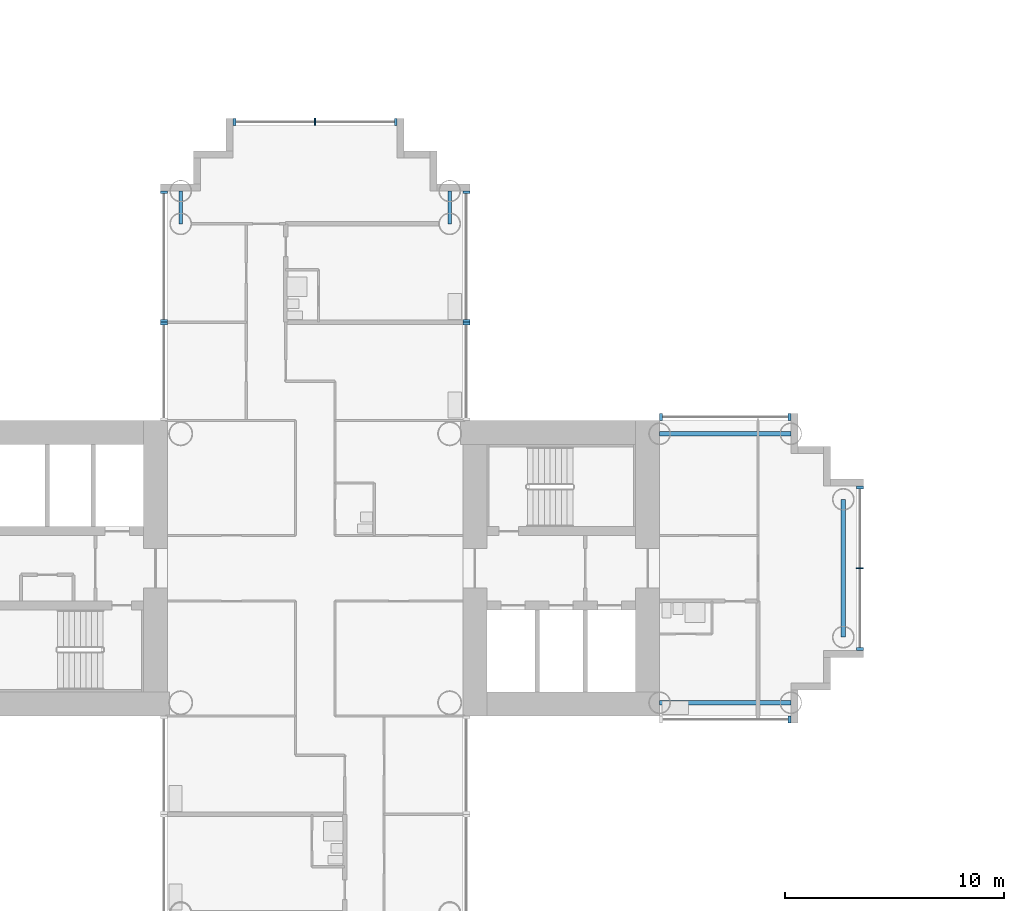
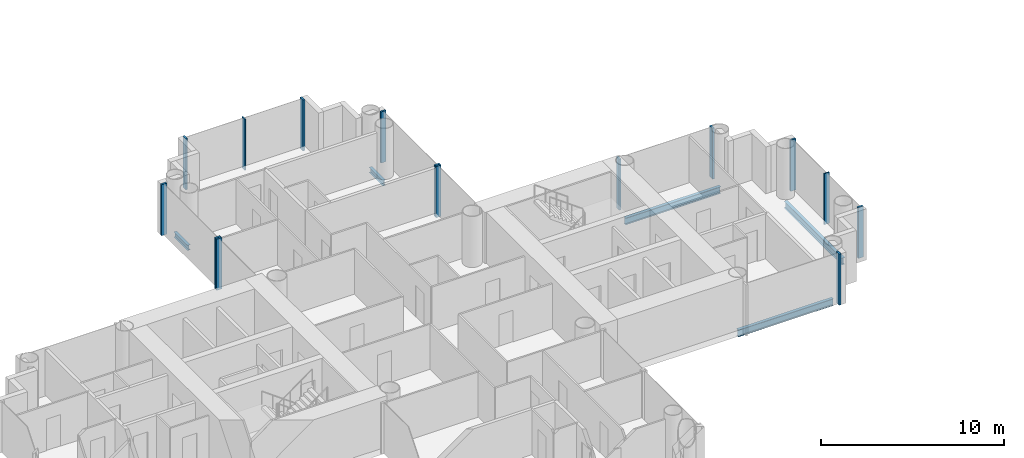
# One storey, part 4 of 21: 15 members, 5 beams, 8 elements without a shape of their own.
"""IFC4 building model written with IfcOpenShell, lengths in metres."""

from ifc_helpers import new_model, si_unit, direction, frame, origin, origin_2d, place, context, subcontext, project, spatial, rectangle, i_section, extrude, material, layer, layer_set, material_profile, profile_set, type_object, element, aggregate, save


model = new_model("IFC4")

# Units and contexts
model_context = context("Model", 3, precision=1e-05, world=origin(), true_north=direction((0.0, 1.0)))
body_context = subcontext(model_context, "Body", "Model", "MODEL_VIEW")
ifc_project = project(units=[si_unit("LENGTHUNIT", "METRE"), si_unit("AREAUNIT", "SQUARE_METRE"), si_unit("VOLUMEUNIT", "CUBIC_METRE"), si_unit("PLANEANGLEUNIT", "RADIAN"), si_unit("MASSUNIT", "GRAM", prefix="KILO")], contexts=[model_context])

# Site, building, storey
site_placement = place(None, origin())
site = spatial("IfcSite", under=ifc_project, at=site_placement, CompositionType="ELEMENT")
building_placement = place(site_placement, origin())
building = spatial("IfcBuilding", under=site, at=building_placement, Name="Ipe Terrace Towers", CompositionType="ELEMENT")
storey_placement = place(building_placement, frame((0.0, 0.0, 34.699951171875)))
storey = spatial("IfcBuildingStorey", under=building, at=storey_placement, Name="L08", CompositionType="ELEMENT", Elevation=34.699951171875)

# Beams
ifc_material_1 = material(Name="Steel S355", Category="steel")
ifc_material_profile_1 = material_profile(ifc_material_1, i_section(OverallWidth=0.175048828125, OverallDepth=0.35009765625, WebThickness=0.007080078125, FlangeThickness=0.010986328125, at=origin_2d()), Name="H-350x175x7x11")
ifc_profile_set_1 = profile_set([ifc_material_profile_1], Name="Steel S355")
beam_type_1 = type_object("IfcBeamType", Name="H04 EDGE BEAM H-350x175x7x11", PredefinedType="BEAM", material=ifc_profile_set_1)
for number, where, z_axis, x_axis, name in (
    (1, (-29.85009765625, 15.75, -0.574951171875), (0.0, 1.0, 0.0), (-1.0, 0.0, 0.0), "Edge beam T1-EB-B03-B05"),
    (2, (-42.14990234375, 15.75, -0.574951171875), (0.0, 1.0, 0.0), (-1.0, 0.0, 0.0), "Edge beam T1-EB-B04-B06"),
):
    element("IfcBeam", number, at=place(storey_placement, frame(where, z_axis=z_axis, x_axis=x_axis)), inside=storey, type_object=beam_type_1, Name=name, PredefinedType="BEAM", context=body_context, shape_type="SweptSolid", body=[
        extrude(i_section(OverallWidth=0.175048828125, OverallDepth=0.35009765625, WebThickness=0.007080078125, FlangeThickness=0.010986328125, at=origin_2d()), origin(), (0.0, 0.0, 1.0), 1.5),
    ])
ifc_material_2 = material(Name="Steel S355", Category="steel")
ifc_material_profile_2 = material_profile(ifc_material_2, i_section(OverallWidth=0.199951171875, OverallDepth=0.449951171875, WebThickness=0.009033203125, FlangeThickness=0.013916015625, at=origin_2d()), Name="H-450x200x9x14")
ifc_profile_set_2 = profile_set([ifc_material_profile_2], Name="Steel S355")
beam_type_2 = type_object("IfcBeamType", Name="H08 EDGE BEAM H-450x200x9x14", PredefinedType="BEAM", material=ifc_profile_set_2)
for number, where, z_axis, x_axis, name in (
    (3, (-20.25, -6.14990234375, -0.625), (1.0, 0.0, 0.0), (0.0, 1.0, 0.0), "Edge beam T1-EB-A01-A03"),
    (4, (-20.25, 6.14990234375, -0.625), (1.0, 0.0, 0.0), (0.0, 1.0, 0.0), "Edge beam T1-EB-A02-A04"),
):
    element("IfcBeam", number, at=place(storey_placement, frame(where, z_axis=z_axis, x_axis=x_axis)), inside=storey, type_object=beam_type_2, Name=name, PredefinedType="BEAM", context=body_context, shape_type="SweptSolid", body=[
        extrude(i_section(OverallWidth=0.199951171875, OverallDepth=0.449951171875, WebThickness=0.009033203125, FlangeThickness=0.013916015625, at=origin_2d()), origin(), (0.0, 0.0, 1.0), 6.0),
    ])
beam_placement = place(storey_placement, frame((-11.85009765625, -3.14990234375, -0.625), z_axis=(0.0, 1.0, 0.0), x_axis=(-1.0, 0.0, 0.0)))
element("IfcBeam", 5, at=beam_placement, inside=storey, type_object=beam_type_2, Name="Edge beam T1-EB-A05-A06", PredefinedType="BEAM", context=body_context, shape_type="SweptSolid", body=[
    extrude(i_section(OverallWidth=0.199951171875, OverallDepth=0.449951171875, WebThickness=0.009033203125, FlangeThickness=0.013916015625, at=origin_2d()), origin(), (0.0, 0.0, 1.0), 6.2998046875),
])

# Curtain wall, member
ifc_material_3 = material(Name="Aluminium alloy 6063-T6", Category="aluminium")
ifc_layer = layer(ifc_material_3, 0.320068359375)
ifc_layer_set = layer_set([ifc_layer], Name="TOWER UNITISED CURTAIN WALL")
curtain_wall_type = type_object("IfcCurtainWallType", Name="TOWER UNITISED CURTAIN WALL", PredefinedType="NOTDEFINED", material=ifc_layer_set)
curtain_wall_1_placement = place(storey_placement, origin())
curtain_wall_1 = element("IfcCurtainWall", 6, at=curtain_wall_1_placement, inside=storey, type_object=curtain_wall_type, Name="T1-CW-L08-20b curtain wall", PredefinedType="NOTDEFINED")
ifc_material_4 = material(Name="Aluminium alloy 6063-T6", Category="aluminium")
ifc_material_profile_3 = material_profile(ifc_material_4, rectangle(XDim=0.320068359375, YDim=0.1201171875, at=origin_2d()), Name="TOWER UNITISED CORNER MULLION 320 x 120")
ifc_profile_set_3 = profile_set([ifc_material_profile_3], Name="Aluminium alloy 6063-T6")
member_type_1 = type_object("IfcMemberType", Name="TOWER UNITISED CORNER MULLION 320 x 120", PredefinedType="MULLION", material=ifc_profile_set_3)
member_1_placement = place(storey_placement, frame((-14.31005859375, -6.909912109375, -0.300048828125), z_axis=(0.0, 0.0, 1.0), x_axis=(0.0, -1.0, 0.0)))
member_1 = element("IfcMember", 7, at=member_1_placement, type_object=member_type_1, Name="T1-CW-L08-20b mullion 2", PredefinedType="MULLION", context=body_context, shape_type="SweptSolid", body=[
    extrude(rectangle(XDim=0.320068359375, YDim=0.1201171875, at=origin_2d()), origin(), (0.0, 0.0, 1.0), 3.400146484375),
])
aggregate(curtain_wall_1, [member_1])

# Curtain wall, members
curtain_wall_2_placement = place(storey_placement, origin())
curtain_wall_2 = element("IfcCurtainWall", 8, at=curtain_wall_2_placement, inside=storey, type_object=curtain_wall_type, Name="T1-CW-L08-25a curtain wall", PredefinedType="NOTDEFINED")
member_2_placement = place(storey_placement, frame((-11.090087890625, -3.68994140625, -0.300048828125), z_axis=(0.0, 0.0, 1.0), x_axis=(1.0, 0.0, 0.0)))
member_2 = element("IfcMember", 9, at=member_2_placement, type_object=member_type_1, Name="T1-CW-L08-25a mullion 1", PredefinedType="MULLION", context=body_context, shape_type="SweptSolid", body=[
    extrude(rectangle(XDim=0.320068359375, YDim=0.1201171875, at=origin_2d()), origin(), (0.0, 0.0, 1.0), 3.400146484375),
])
member_3_placement = place(storey_placement, frame((-11.090087890625, 3.68994140625, -0.300048828125), z_axis=(0.0, 0.0, 1.0), x_axis=(1.0, 0.0, 0.0)))
member_3 = element("IfcMember", 10, at=member_3_placement, type_object=member_type_1, Name="T1-CW-L08-25a mullion 3", PredefinedType="MULLION", context=body_context, shape_type="SweptSolid", body=[
    extrude(rectangle(XDim=0.320068359375, YDim=0.1201171875, at=origin_2d()), origin(), (0.0, 0.0, 1.0), 3.400146484375),
])

curtain_wall_3_placement = place(storey_placement, origin())
curtain_wall_3 = element("IfcCurtainWall", 11, at=curtain_wall_3_placement, inside=storey, type_object=curtain_wall_type, Name="T1-CW-L08-30a curtain wall", PredefinedType="NOTDEFINED")
member_4_placement = place(storey_placement, frame((-14.31005859375, 6.909912109375, -0.300048828125), z_axis=(0.0, 0.0, 1.0), x_axis=(0.0, 1.0, 0.0)))
member_4 = element("IfcMember", 12, at=member_4_placement, type_object=member_type_1, Name="T1-CW-L08-30a mullion 1", PredefinedType="MULLION", context=body_context, shape_type="SweptSolid", body=[
    extrude(rectangle(XDim=0.320068359375, YDim=0.1201171875, at=origin_2d()), origin(), (0.0, 0.0, 1.0), 3.400146484375),
])
member_5_placement = place(storey_placement, frame((-20.18896484375, 6.909912109375, -0.300048828125), z_axis=(0.0, 0.0, 1.0), x_axis=(0.0, 1.0, 0.0)))
member_5 = element("IfcMember", 13, at=member_5_placement, type_object=member_type_1, Name="T1-CW-L08-30a mullion 2", PredefinedType="MULLION", context=body_context, shape_type="SweptSolid", body=[
    extrude(rectangle(XDim=0.320068359375, YDim=0.1201171875, at=origin_2d()), origin(), (0.0, 0.0, 1.0), 3.400146484375),
])
aggregate(curtain_wall_3, [member_4, member_5])

# Curtain wall, member
curtain_wall_4_placement = place(storey_placement, origin())
curtain_wall_4 = element("IfcCurtainWall", 14, at=curtain_wall_4_placement, inside=storey, type_object=curtain_wall_type, Name="T1-CW-L08-32a curtain wall", PredefinedType="NOTDEFINED")
member_6_placement = place(storey_placement, frame((-29.090087890625, 11.18994140625, -0.300048828125), z_axis=(0.0, 0.0, 1.0), x_axis=(1.0, 0.0, 0.0)))
member_6 = element("IfcMember", 15, at=member_6_placement, type_object=member_type_1, Name="T1-CW-L08-32a mullion 2", PredefinedType="MULLION", context=body_context, shape_type="SweptSolid", body=[
    extrude(rectangle(XDim=0.320068359375, YDim=0.1201171875, at=origin_2d()), origin(), (0.0, 0.0, 1.0), 3.400146484375),
])
aggregate(curtain_wall_4, [member_6])

# Curtain wall, members
curtain_wall_5_placement = place(storey_placement, origin())
curtain_wall_5 = element("IfcCurtainWall", 16, at=curtain_wall_5_placement, inside=storey, type_object=curtain_wall_type, Name="T1-CW-L08-33a curtain wall", PredefinedType="NOTDEFINED")
member_7_placement = place(storey_placement, frame((-29.090087890625, 11.31005859375, -0.300048828125), z_axis=(0.0, 0.0, 1.0), x_axis=(1.0, 0.0, 0.0)))
member_7 = element("IfcMember", 17, at=member_7_placement, type_object=member_type_1, Name="T1-CW-L08-33a mullion 1", PredefinedType="MULLION", context=body_context, shape_type="SweptSolid", body=[
    extrude(rectangle(XDim=0.320068359375, YDim=0.1201171875, at=origin_2d()), origin(), (0.0, 0.0, 1.0), 3.400146484375),
])
member_8_placement = place(storey_placement, frame((-29.090087890625, 17.18994140625, -0.300048828125), z_axis=(0.0, 0.0, 1.0), x_axis=(1.0, 0.0, 0.0)))
member_8 = element("IfcMember", 18, at=member_8_placement, type_object=member_type_1, Name="T1-CW-L08-33a mullion 2", PredefinedType="MULLION", context=body_context, shape_type="SweptSolid", body=[
    extrude(rectangle(XDim=0.320068359375, YDim=0.1201171875, at=origin_2d()), origin(), (0.0, 0.0, 1.0), 3.400146484375),
])
aggregate(curtain_wall_5, [member_7, member_8])

curtain_wall_6_placement = place(storey_placement, origin())
curtain_wall_6 = element("IfcCurtainWall", 19, at=curtain_wall_6_placement, inside=storey, type_object=curtain_wall_type, Name="T1-CW-L08-38a curtain wall", PredefinedType="NOTDEFINED")
member_9_placement = place(storey_placement, frame((-32.31005859375, 20.409912109375, -0.300048828125), z_axis=(0.0, 0.0, 1.0), x_axis=(0.0, 1.0, 0.0)))
member_9 = element("IfcMember", 20, at=member_9_placement, type_object=member_type_1, Name="T1-CW-L08-38a mullion 1", PredefinedType="MULLION", context=body_context, shape_type="SweptSolid", body=[
    extrude(rectangle(XDim=0.320068359375, YDim=0.1201171875, at=origin_2d()), origin(), (0.0, 0.0, 1.0), 3.400146484375),
])
member_10_placement = place(storey_placement, frame((-39.68994140625, 20.409912109375, -0.300048828125), z_axis=(0.0, 0.0, 1.0), x_axis=(0.0, 1.0, 0.0)))
member_10 = element("IfcMember", 21, at=member_10_placement, type_object=member_type_1, Name="T1-CW-L08-38a mullion 3", PredefinedType="MULLION", context=body_context, shape_type="SweptSolid", body=[
    extrude(rectangle(XDim=0.320068359375, YDim=0.1201171875, at=origin_2d()), origin(), (0.0, 0.0, 1.0), 3.400146484375),
])

curtain_wall_7_placement = place(storey_placement, origin())
curtain_wall_7 = element("IfcCurtainWall", 22, at=curtain_wall_7_placement, inside=storey, type_object=curtain_wall_type, Name="T1-CW-L08-43a curtain wall", PredefinedType="NOTDEFINED")
member_11_placement = place(storey_placement, frame((-42.909912109375, 17.18994140625, -0.300048828125), z_axis=(0.0, 0.0, 1.0), x_axis=(-1.0, 0.0, 0.0)))
member_11 = element("IfcMember", 23, at=member_11_placement, type_object=member_type_1, Name="T1-CW-L08-43a mullion 1", PredefinedType="MULLION", context=body_context, shape_type="SweptSolid", body=[
    extrude(rectangle(XDim=0.320068359375, YDim=0.1201171875, at=origin_2d()), origin(), (0.0, 0.0, 1.0), 3.400146484375),
])
member_12_placement = place(storey_placement, frame((-42.909912109375, 11.31005859375, -0.300048828125), z_axis=(0.0, 0.0, 1.0), x_axis=(-1.0, 0.0, 0.0)))
member_12 = element("IfcMember", 24, at=member_12_placement, type_object=member_type_1, Name="T1-CW-L08-43a mullion 2", PredefinedType="MULLION", context=body_context, shape_type="SweptSolid", body=[
    extrude(rectangle(XDim=0.320068359375, YDim=0.1201171875, at=origin_2d()), origin(), (0.0, 0.0, 1.0), 3.400146484375),
])
aggregate(curtain_wall_7, [member_11, member_12])

# Curtain wall, member
curtain_wall_8_placement = place(storey_placement, origin())
curtain_wall_8 = element("IfcCurtainWall", 25, at=curtain_wall_8_placement, inside=storey, type_object=curtain_wall_type, Name="T1-CW-L08-44a curtain wall", PredefinedType="NOTDEFINED")
member_13_placement = place(storey_placement, frame((-42.909912109375, 11.18994140625, -0.300048828125), z_axis=(0.0, 0.0, 1.0), x_axis=(-1.0, 0.0, 0.0)))
member_13 = element("IfcMember", 26, at=member_13_placement, type_object=member_type_1, Name="T1-CW-L08-44a mullion 1", PredefinedType="MULLION", context=body_context, shape_type="SweptSolid", body=[
    extrude(rectangle(XDim=0.320068359375, YDim=0.1201171875, at=origin_2d()), origin(), (0.0, 0.0, 1.0), 3.400146484375),
])
aggregate(curtain_wall_8, [member_13])

# Member
ifc_material_5 = material(Name="Aluminium alloy 6063-T6", Category="aluminium")
ifc_material_profile_4 = material_profile(ifc_material_5, rectangle(XDim=0.320068359375, YDim=0.06494140625, at=origin_2d()), Name="TOWER UNITISED MULLION 320 x 65")
ifc_profile_set_4 = profile_set([ifc_material_profile_4], Name="Aluminium alloy 6063-T6")
member_type_2 = type_object("IfcMemberType", Name="TOWER UNITISED MULLION 320 x 65", PredefinedType="MULLION", material=ifc_profile_set_4)
member_14_placement = place(storey_placement, frame((-11.090087890625, 0.0, -0.300048828125), z_axis=(0.0, 0.0, 1.0), x_axis=(1.0, 0.0, 0.0)))
member_14 = element("IfcMember", 27, at=member_14_placement, type_object=member_type_2, Name="T1-CW-L08-25a mullion 2", PredefinedType="MULLION", context=body_context, shape_type="SweptSolid", body=[
    extrude(rectangle(XDim=0.320068359375, YDim=0.06494140625, at=origin_2d()), origin(), (0.0, 0.0, 1.0), 3.400146484375),
])

aggregate(curtain_wall_2, [member_2, member_14, member_3])

member_15_placement = place(storey_placement, frame((-36.0, 20.409912109375, -0.300048828125), z_axis=(0.0, 0.0, 1.0), x_axis=(0.0, 1.0, 0.0)))
member_15 = element("IfcMember", 28, at=member_15_placement, type_object=member_type_2, Name="T1-CW-L08-38a mullion 2", PredefinedType="MULLION", context=body_context, shape_type="SweptSolid", body=[
    extrude(rectangle(XDim=0.320068359375, YDim=0.06494140625, at=origin_2d()), origin(), (0.0, 0.0, 1.0), 3.400146484375),
])

aggregate(curtain_wall_6, [member_9, member_15, member_10])

save(model, "model.ifc")
